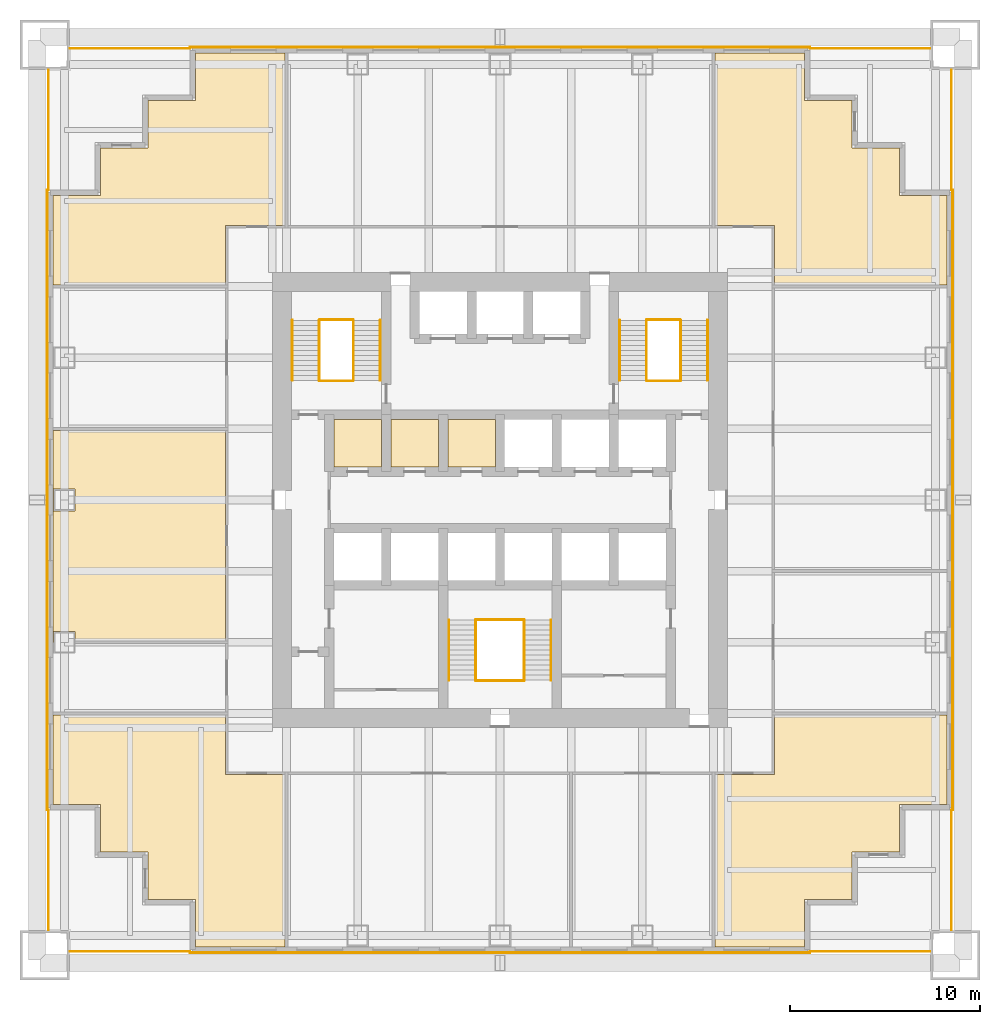
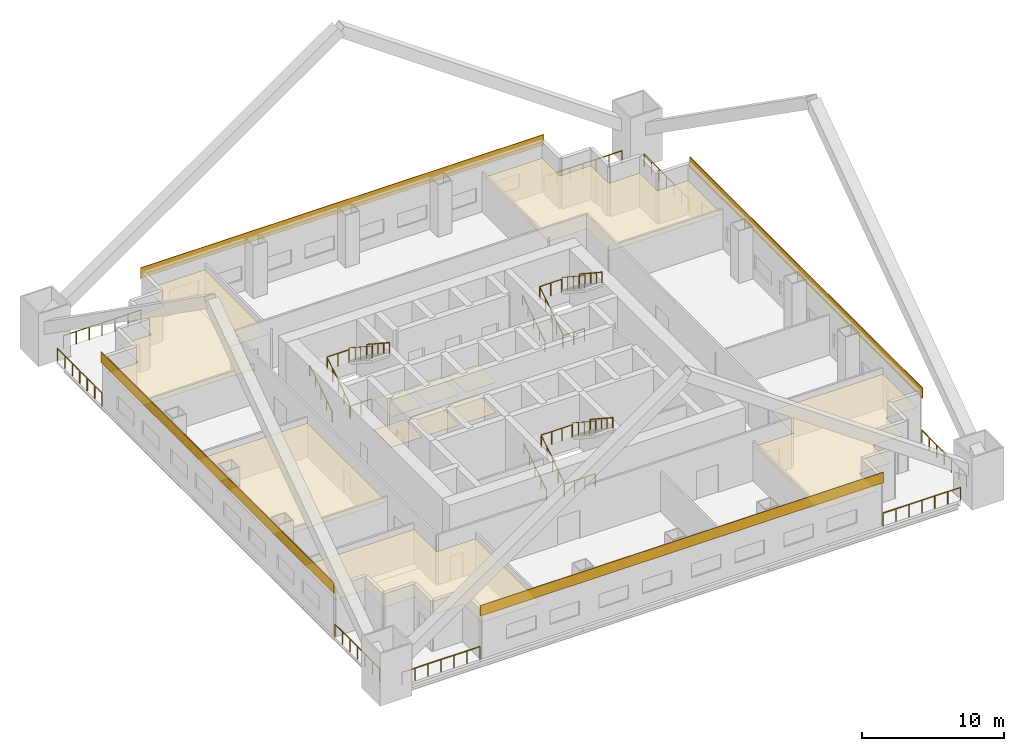
# One storey, part 6 of 6: 26 railings, 15 coverings.
"""IFC4 building model written with IfcOpenShell, lengths in metres."""

import ifcopenshell
import ifcopenshell.guid

model = None  # the IFC model being written
_history = None  # IfcOwnerHistory: only IFC2X3 demands one
_inside = {}  # id of a spatial element -> (the spatial element, [elements in it])
_under = {}  # id of a project, library or spatial element -> (it, [spatial elements below it])
_declared = {}  # id of a project -> (the project, [libraries it declares])
_typed = {}  # id of a type object -> (the type object, [elements of that type])
_made_of = {}  # id of a material, layer set ... -> (it, [elements and type objects made of it])


def new_model(schema):
    """Start an empty IFC model of exactly this schema.

    Asked for "IFC4X3", IfcOpenShell would pick the latest addendum, in which some entities
    have other attributes; the version numbers below select the first issue.
    IFC2X3 requires an IfcOwnerHistory on every rooted entity: one is made here for all.
    """
    global model, _history
    if schema == "IFC4X3":
        model = ifcopenshell.file(schema_version=(4, 3, 0, 0))
    else:
        model = ifcopenshell.file(schema=schema)
    _inside.clear()
    _under.clear()
    _declared.clear()
    _typed.clear()
    _made_of.clear()
    _history = None
    if model.schema == "IFC2X3":
        org = make("IfcOrganization", Name="unknown")
        user = make(
            "IfcPersonAndOrganization",
            ThePerson=make("IfcPerson", FamilyName="unknown"),
            TheOrganization=org,
        )
        app = make(
            "IfcApplication",
            ApplicationDeveloper=org,
            Version="unknown",
            ApplicationFullName="unknown",
            ApplicationIdentifier="unknown",
        )
        _history = make(
            "IfcOwnerHistory",
            OwningUser=user,
            OwningApplication=app,
            ChangeAction="ADDED",
            CreationDate=0,
        )
    return model


def make(cls, **values):
    """One entity of the class cls with the attributes given. An attribute that is None is left unset."""
    return model.create_entity(
        cls, **{name: value for name, value in values.items() if value is not None}
    )


def rooted(cls, **values):
    """An entity with a GlobalId (a new one), such as an element, a storey or a relation."""
    return make(cls, GlobalId=ifcopenshell.guid.new(), OwnerHistory=_history, **values)


def si_unit(unit_type, name, prefix=None):
    """IfcSIUnit, for example si_unit("LENGTHUNIT", "METRE", prefix="MILLI")."""
    return make("IfcSIUnit", UnitType=unit_type, Prefix=prefix, Name=name)


def assignment(units):
    """IfcUnitAssignment: the units of a project."""
    return None if units is None else make("IfcUnitAssignment", Units=units)


def point(xyz):
    """IfcCartesianPoint."""
    return None if xyz is None else make("IfcCartesianPoint", Coordinates=xyz)


def direction(xyz):
    """IfcDirection."""
    return None if xyz is None else make("IfcDirection", DirectionRatios=xyz)


def frame(location, z_axis=None, x_axis=None):
    """IfcAxis2Placement3D, a coordinate frame: its origin and axes. An axis left out is left unset."""
    return make(
        "IfcAxis2Placement3D",
        Location=point(location),
        Axis=direction(z_axis),
        RefDirection=direction(x_axis),
    )


def frame_2d(location, x_axis=None):
    """IfcAxis2Placement2D, a coordinate frame in the plane: its origin and x axis."""
    return make(
        "IfcAxis2Placement2D", Location=point(location), RefDirection=direction(x_axis)
    )


def origin():
    """The frame at (0, 0, 0) with its axes left unset."""
    return frame((0.0, 0.0, 0.0))


def origin_2d():
    """The frame at (0, 0) in the plane with its x axis left unset."""
    return frame_2d((0.0, 0.0))


def place(relative_to, where):
    """IfcLocalPlacement: puts the frame where relative to a parent placement (None: the world)."""
    return make(
        "IfcLocalPlacement", PlacementRelTo=relative_to, RelativePlacement=where
    )


def context(
    kind, dimensions, precision=None, world=None, true_north=None, identifier=None
):
    """IfcGeometricRepresentationContext, for example the 3D "Model" context."""
    return make(
        "IfcGeometricRepresentationContext",
        ContextIdentifier=identifier,
        ContextType=kind,
        CoordinateSpaceDimension=dimensions,
        Precision=precision,
        WorldCoordinateSystem=world,
        TrueNorth=true_north,
    )


def subcontext(parent, identifier, kind, view, scale=None):
    """IfcGeometricRepresentationSubContext, for example "Body" below "Model"."""
    return make(
        "IfcGeometricRepresentationSubContext",
        ContextIdentifier=identifier,
        ContextType=kind,
        ParentContext=parent,
        TargetScale=scale,
        TargetView=view,
    )


def project(units=None, contexts=None):
    """IfcProject with its units and contexts."""
    return rooted(
        "IfcProject",
        Name="project",
        RepresentationContexts=contexts,
        UnitsInContext=assignment(units),
    )


def spatial(cls, under=None, at=None, **own):
    """A site, building, storey or space (cls), placed at a placement, below another one or the project."""
    s = rooted(cls, ObjectPlacement=at, **own)
    if under is not None:
        _under.setdefault(under.id(), (under, []))[1].append(s)
    return s


def polyline(points):
    """IfcPolyline through the points."""
    return make("IfcPolyline", Points=[point(p) for p in points])


def profile(cls, at=None, kind="AREA", **sizes):
    """A parametric profile (cls). Its sizes go by their IFC names, for example OverallWidth=200.0."""
    return make(cls, ProfileType=kind, Position=at, **sizes)


def rectangle(**sizes):
    """IfcRectangleProfileDef."""
    return profile("IfcRectangleProfileDef", **sizes)


def circle(**sizes):
    """IfcCircleProfileDef."""
    return profile("IfcCircleProfileDef", **sizes)


def outline(outer, holes=None, kind="AREA"):
    """IfcArbitraryClosedProfileDef: a profile drawn as a closed curve; with holes, ...WithVoids."""
    if holes is None:
        return make("IfcArbitraryClosedProfileDef", ProfileType=kind, OuterCurve=outer)
    return make(
        "IfcArbitraryProfileDefWithVoids",
        ProfileType=kind,
        OuterCurve=outer,
        InnerCurves=holes,
    )


def extrude(swept, where, along, depth):
    """IfcExtrudedAreaSolid: the profile swept, set in the frame where, extruded along a direction by depth."""
    return make(
        "IfcExtrudedAreaSolid",
        SweptArea=swept,
        Position=where,
        ExtrudedDirection=direction(along),
        Depth=depth,
    )


def shape(context_of_items, identifier, shape_type, items):
    """IfcShapeRepresentation: the items that make up one representation, for example the "Body"."""
    return make(
        "IfcShapeRepresentation",
        ContextOfItems=context_of_items,
        RepresentationIdentifier=identifier,
        RepresentationType=shape_type,
        Items=items,
    )


def material(Name=None, Category=None):
    """IfcMaterial."""
    return make("IfcMaterial", Name=Name, Category=Category)


def layer(
    of_material, thickness, ventilated=None, Name=None, Category=None, Priority=None
):
    """IfcMaterialLayer: one layer of a wall or slab, of a material (None: an air gap)."""
    return make(
        "IfcMaterialLayer",
        Material=of_material,
        LayerThickness=thickness,
        IsVentilated=ventilated,
        Name=Name,
        Category=Category,
        Priority=Priority,
    )


def layer_set(layers, Name=None):
    """IfcMaterialLayerSet."""
    return make("IfcMaterialLayerSet", MaterialLayers=layers, LayerSetName=Name)


def made_of(thing, what):
    """Note that an element or type object is made of a material, layer set ...; save() writes the relation."""
    if what is not None:
        _made_of.setdefault(what.id(), (what, []))[1].append(thing)
    return thing


def type_object(cls, material=None, **own):
    """A type object (cls), such as IfcWallType, which elements share."""
    return made_of(rooted(cls, **own), material)


def element(
    cls,
    number,
    at=None,
    inside=None,
    cuts=None,
    type_object=None,
    material=None,
    context=None,
    identifier="Body",
    shape_type=None,
    held_by="IfcProductDefinitionShape",
    body=None,
    shapes=None,
    **own,
):
    """One element of the class cls, such as IfcWall. Its Tag is "e" and its number.

    at: its placement. inside: the storey or other place that contains it. cuts: it is an
    opening in that element (IfcRelVoidsElement). A single representation is given by context,
    identifier, shape_type and body (its items); several are given by shapes. held_by: the class
    of the entity that holds the representations. save() writes the other relations.
    """
    e = rooted(cls, Tag="e%d" % number, ObjectPlacement=at, **own)
    if body is not None:
        shapes = [shape(context, identifier, shape_type, body)]
    if shapes is not None:
        e.Representation = make(held_by, Representations=shapes)
    if inside is not None:
        _inside.setdefault(inside.id(), (inside, []))[1].append(e)
    if cuts is not None:
        rooted(
            "IfcRelVoidsElement", RelatingBuildingElement=cuts, RelatedOpeningElement=e
        )
    if type_object is not None:
        _typed.setdefault(type_object.id(), (type_object, []))[1].append(e)
    return made_of(e, material)


def aggregate(whole, parts):
    """IfcRelAggregates: a whole, such as a stair, and the parts it consists of."""
    return rooted("IfcRelAggregates", RelatingObject=whole, RelatedObjects=parts)


def save(model, path):
    """Write the relations noted so far, then the file.

    IfcRelAggregates (storeys below a building ...), IfcRelContainedInSpatialStructure (elements
    in a storey), IfcRelDefinesByType, IfcRelAssociatesMaterial and IfcRelDeclares: one each for
    every whole, place, type object, material and project.
    """
    for whole, parts in _under.values():
        aggregate(whole, parts)
    for where, things in _inside.values():
        rooted(
            "IfcRelContainedInSpatialStructure",
            RelatedElements=things,
            RelatingStructure=where,
        )
    for kind, things in _typed.values():
        rooted("IfcRelDefinesByType", RelatedObjects=things, RelatingType=kind)
    for what, things in _made_of.values():
        rooted("IfcRelAssociatesMaterial", RelatedObjects=things, RelatingMaterial=what)
    for by, libraries in _declared.values():
        rooted("IfcRelDeclares", RelatingContext=by, RelatedDefinitions=libraries)
    model.write(path)


model = new_model("IFC4")

# Units and contexts
model_context = context("Model", 3, precision=1e-05, world=origin(), true_north=direction((0.0, 1.0)))
body_context = subcontext(model_context, "Body", "Model", "MODEL_VIEW")
ifc_project = project(units=[si_unit("LENGTHUNIT", "METRE"), si_unit("AREAUNIT", "SQUARE_METRE"), si_unit("VOLUMEUNIT", "CUBIC_METRE"), si_unit("PLANEANGLEUNIT", "RADIAN"), si_unit("MASSUNIT", "GRAM", prefix="KILO")], contexts=[model_context])

# Site, building, storey
site_placement = place(None, origin())
site = spatial("IfcSite", under=ifc_project, at=site_placement, CompositionType="ELEMENT")
building_placement = place(site_placement, origin())
building = spatial("IfcBuilding", under=site, at=building_placement, Name="Tarangal Relay Tower", CompositionType="ELEMENT")
storey_placement = place(building_placement, frame((0.0, 0.0, 135.89990234375)))
storey = spatial("IfcBuildingStorey", under=building, at=storey_placement, Name="L27", CompositionType="ELEMENT", Elevation=135.89990234375)

# Coverings
ifc_material_1 = material(Name="Anti-static vinyl flooring", Category="plastic")
ifc_layer_1 = layer(ifc_material_1, 0.010009765625)
ifc_layer_set_1 = layer_set([ifc_layer_1], Name="Anti-static vinyl floor")
covering_type_1 = type_object("IfcCoveringType", Name="Anti-static vinyl floor", PredefinedType="FLOORING", material=ifc_layer_set_1)
covering_1_placement = place(storey_placement, origin())
element("IfcCovering", 1, at=covering_1_placement, inside=storey, type_object=covering_type_1, Name="Floor finish FL1 L27-D1", PredefinedType="FLOORING", context=body_context, shape_type="SweptSolid", body=[
    extrude(outline(polyline([(-8.75, 1.75), (-6.25, 1.75), (-6.25, 4.25), (-8.75, 4.25), (-8.75, 1.75)])), origin(), (0.0, 0.0, 1.0), 0.010009765625),
])
covering_2_placement = place(storey_placement, origin())
element("IfcCovering", 2, at=covering_2_placement, inside=storey, type_object=covering_type_1, Name="Floor finish FL1 L27-D2", PredefinedType="FLOORING", context=body_context, shape_type="SweptSolid", body=[
    extrude(outline(polyline([(-5.75, 1.75), (-3.25, 1.75), (-3.25, 4.25), (-5.75, 4.25), (-5.75, 1.75)])), origin(), (0.0, 0.0, 1.0), 0.010009765625),
])
covering_3_placement = place(storey_placement, origin())
element("IfcCovering", 3, at=covering_3_placement, inside=storey, type_object=covering_type_1, Name="Floor finish FL1 L27-D3", PredefinedType="FLOORING", context=body_context, shape_type="SweptSolid", body=[
    extrude(outline(polyline([(-2.75, 1.75), (-0.25, 1.75), (-0.25, 4.25), (-2.75, 4.25), (-2.75, 1.75)])), origin(), (0.0, 0.0, 1.0), 0.010009765625),
])
ifc_material_2 = material(Name="Black anodised aluminium cladding", Category="aluminium")
ifc_layer_2 = layer(ifc_material_2, 0.050048828125)
ifc_layer_set_2 = layer_set([ifc_layer_2], Name="Black metal spandrel band")
covering_type_2 = type_object("IfcCoveringType", Name="Black metal spandrel band", PredefinedType="CLADDING", material=ifc_layer_set_2)
for number, where, z_axis, x_axis, name in (
    (4, (0.0, 23.875, 3.750244140625), (0.0, 0.0, 1.0), (1.0, 0.0, 0.0), "Spandrel band SB1 N L27"),
    (5, (23.875, 0.0, 3.750244140625), (0.0, 0.0, 1.0), (0.0, -1.0, 0.0), "Spandrel band SB1 E L27"),
    (6, (0.0, -23.875, 3.750244140625), (0.0, 0.0, 1.0), (-1.0, 0.0, 0.0), "Spandrel band SB1 S L27"),
    (7, (-23.875, 0.0, 3.750244140625), (0.0, 0.0, 1.0), (0.0, 1.0, 0.0), "Spandrel band SB1 W L27"),
):
    element("IfcCovering", number, at=place(storey_placement, frame(where, z_axis=z_axis, x_axis=x_axis)), inside=storey, type_object=covering_type_2, Name=name, PredefinedType="CLADDING", context=body_context, shape_type="SweptSolid", body=[
        extrude(rectangle(XDim=32.699951171875, YDim=0.050048828125, at=origin_2d()), origin(), (0.0, 0.0, 1.0), 0.89990234375),
    ])

# Railings
ifc_material_3 = material(Name="Steel guard, black finish", Category="steel")
railing_type_1 = type_object("IfcRailingType", Name="Stair guard 1100", PredefinedType="GUARDRAIL", material=ifc_material_3)
railing_1_placement = place(storey_placement, frame((-9.530029296875, 6.300048828125, 0.173095703125)))
element("IfcRailing", 8, at=railing_1_placement, inside=storey, type_object=railing_type_1, Name="Stair ST-A guard GR1 L27 flight 1", PredefinedType="GUARDRAIL", context=body_context, shape_type="SweptSolid", body=[
    extrude(circle(Radius=0.02392578125, at=origin_2d()), frame((0.0, 0.0, 1.076171875), z_axis=(0.0, 0.83629911093, 0.548273469226), x_axis=(-1.0, 0.0, 0.0)), (0.0, 0.0, 1.0), 3.7880859375),
    extrude(circle(Radius=0.02099609375, at=origin_2d()), origin(), (0.0, 0.0, 1.0), 1.052001953125),
    extrude(circle(Radius=0.02099609375, at=origin_2d()), frame((0.0, 0.7919921875, 0.519287109375)), (0.0, 0.0, 1.0), 1.052001953125),
    extrude(circle(Radius=0.02099609375, at=origin_2d()), frame((0.0, 1.583984375, 1.03857421875)), (0.0, 0.0, 1.0), 1.052001953125),
    extrude(circle(Radius=0.02099609375, at=origin_2d()), frame((0.0, 2.3759765625, 1.5576171875)), (0.0, 0.0, 1.0), 1.052001953125),
    extrude(circle(Radius=0.02099609375, at=origin_2d()), frame((0.0, 3.16796875, 2.076904296875)), (0.0, 0.0, 1.0), 1.052001953125),
])
railing_2_placement = place(storey_placement, frame((-7.719970703125, 9.468017578125, 2.423095703125)))
element("IfcRailing", 9, at=railing_2_placement, inside=storey, type_object=railing_type_1, Name="Stair ST-A guard GR1 L27 flight 2", PredefinedType="GUARDRAIL", context=body_context, shape_type="SweptSolid", body=[
    extrude(circle(Radius=0.02392578125, at=origin_2d()), frame((0.0, 0.0, 1.076171875), z_axis=(0.0, -0.83629911093, 0.548273469226), x_axis=(1.0, 0.0, 0.0)), (0.0, 0.0, 1.0), 3.7880859375),
    extrude(circle(Radius=0.02099609375, at=origin_2d()), origin(), (0.0, 0.0, 1.0), 1.052001953125),
    extrude(circle(Radius=0.02099609375, at=origin_2d()), frame((0.0, -0.7919921875, 0.519287109375)), (0.0, 0.0, 1.0), 1.052001953125),
    extrude(circle(Radius=0.02099609375, at=origin_2d()), frame((0.0, -1.583984375, 1.03857421875)), (0.0, 0.0, 1.0), 1.052001953125),
    extrude(circle(Radius=0.02099609375, at=origin_2d()), frame((0.0, -2.3759765625, 1.5576171875)), (0.0, 0.0, 1.0), 1.052001953125),
    extrude(circle(Radius=0.02099609375, at=origin_2d()), frame((0.0, -3.16796875, 2.076904296875)), (0.0, 0.0, 1.0), 1.052001953125),
])
for number, where, name in (
    (10, (-9.5, 6.27001953125, 0.0), "Stair ST-A landing guard GR1 L27"),
    (11, (-9.5, 9.498046875, 2.25), "Stair ST-A landing guard GR1 L27"),
):
    element("IfcRailing", number, at=place(storey_placement, frame(where)), inside=storey, type_object=railing_type_1, Name=name, PredefinedType="GUARDRAIL", context=body_context, shape_type="SweptSolid", body=[
        extrude(circle(Radius=0.02392578125, at=origin_2d()), frame((0.0, 0.0, 1.076171875), z_axis=(1.0, 0.0, 0.0), x_axis=(0.0, 1.0, 0.0)), (0.0, 0.0, 1.0), 1.75),
        extrude(circle(Radius=0.02099609375, at=origin_2d()), origin(), (0.0, 0.0, 1.0), 1.052001953125),
        extrude(circle(Radius=0.02099609375, at=origin_2d()), frame((0.875, 0.0, 0.0)), (0.0, 0.0, 1.0), 1.052001953125),
        extrude(circle(Radius=0.02099609375, at=origin_2d()), frame((1.75, 0.0, 0.0)), (0.0, 0.0, 1.0), 1.052001953125),
    ])
railing_3_placement = place(storey_placement, frame((7.719970703125, 6.300048828125, 0.173095703125)))
element("IfcRailing", 12, at=railing_3_placement, inside=storey, type_object=railing_type_1, Name="Stair ST-B guard GR1 L27 flight 1", PredefinedType="GUARDRAIL", context=body_context, shape_type="SweptSolid", body=[
    extrude(circle(Radius=0.02392578125, at=origin_2d()), frame((0.0, 0.0, 1.076171875), z_axis=(0.0, 0.83629911093, 0.548273469226), x_axis=(-1.0, 0.0, 0.0)), (0.0, 0.0, 1.0), 3.7880859375),
    extrude(circle(Radius=0.02099609375, at=origin_2d()), origin(), (0.0, 0.0, 1.0), 1.052001953125),
    extrude(circle(Radius=0.02099609375, at=origin_2d()), frame((0.0, 0.7919921875, 0.519287109375)), (0.0, 0.0, 1.0), 1.052001953125),
    extrude(circle(Radius=0.02099609375, at=origin_2d()), frame((0.0, 1.583984375, 1.03857421875)), (0.0, 0.0, 1.0), 1.052001953125),
    extrude(circle(Radius=0.02099609375, at=origin_2d()), frame((0.0, 2.3759765625, 1.5576171875)), (0.0, 0.0, 1.0), 1.052001953125),
    extrude(circle(Radius=0.02099609375, at=origin_2d()), frame((0.0, 3.16796875, 2.076904296875)), (0.0, 0.0, 1.0), 1.052001953125),
])
railing_4_placement = place(storey_placement, frame((9.530029296875, 9.468017578125, 2.423095703125)))
element("IfcRailing", 13, at=railing_4_placement, inside=storey, type_object=railing_type_1, Name="Stair ST-B guard GR1 L27 flight 2", PredefinedType="GUARDRAIL", context=body_context, shape_type="SweptSolid", body=[
    extrude(circle(Radius=0.02392578125, at=origin_2d()), frame((0.0, 0.0, 1.076171875), z_axis=(0.0, -0.83629911093, 0.548273469226), x_axis=(1.0, 0.0, 0.0)), (0.0, 0.0, 1.0), 3.7880859375),
    extrude(circle(Radius=0.02099609375, at=origin_2d()), origin(), (0.0, 0.0, 1.0), 1.052001953125),
    extrude(circle(Radius=0.02099609375, at=origin_2d()), frame((0.0, -0.7919921875, 0.519287109375)), (0.0, 0.0, 1.0), 1.052001953125),
    extrude(circle(Radius=0.02099609375, at=origin_2d()), frame((0.0, -1.583984375, 1.03857421875)), (0.0, 0.0, 1.0), 1.052001953125),
    extrude(circle(Radius=0.02099609375, at=origin_2d()), frame((0.0, -2.3759765625, 1.5576171875)), (0.0, 0.0, 1.0), 1.052001953125),
    extrude(circle(Radius=0.02099609375, at=origin_2d()), frame((0.0, -3.16796875, 2.076904296875)), (0.0, 0.0, 1.0), 1.052001953125),
])
for number, where, name in (
    (14, (7.75, 6.27001953125, 0.0), "Stair ST-B landing guard GR1 L27"),
    (15, (7.75, 9.498046875, 2.25), "Stair ST-B landing guard GR1 L27"),
):
    element("IfcRailing", number, at=place(storey_placement, frame(where)), inside=storey, type_object=railing_type_1, Name=name, PredefinedType="GUARDRAIL", context=body_context, shape_type="SweptSolid", body=[
        extrude(circle(Radius=0.02392578125, at=origin_2d()), frame((0.0, 0.0, 1.076171875), z_axis=(1.0, 0.0, 0.0), x_axis=(0.0, 1.0, 0.0)), (0.0, 0.0, 1.0), 1.75),
        extrude(circle(Radius=0.02099609375, at=origin_2d()), origin(), (0.0, 0.0, 1.0), 1.052001953125),
        extrude(circle(Radius=0.02099609375, at=origin_2d()), frame((0.875, 0.0, 0.0)), (0.0, 0.0, 1.0), 1.052001953125),
        extrude(circle(Radius=0.02099609375, at=origin_2d()), frame((1.75, 0.0, 0.0)), (0.0, 0.0, 1.0), 1.052001953125),
    ])
railing_5_placement = place(storey_placement, frame((-1.280029296875, -9.5, 0.173095703125)))
element("IfcRailing", 16, at=railing_5_placement, inside=storey, type_object=railing_type_1, Name="Stair ST-C guard GR1 L27 flight 1", PredefinedType="GUARDRAIL", context=body_context, shape_type="SweptSolid", body=[
    extrude(circle(Radius=0.02392578125, at=origin_2d()), frame((0.0, 0.0, 1.076171875), z_axis=(0.0, 0.83629911093, 0.548273469226), x_axis=(-1.0, 0.0, 0.0)), (0.0, 0.0, 1.0), 3.7880859375),
    extrude(circle(Radius=0.02099609375, at=origin_2d()), origin(), (0.0, 0.0, 1.0), 1.052001953125),
    extrude(circle(Radius=0.02099609375, at=origin_2d()), frame((0.0, 0.7919921875, 0.519287109375)), (0.0, 0.0, 1.0), 1.052001953125),
    extrude(circle(Radius=0.02099609375, at=origin_2d()), frame((0.0, 1.583984375, 1.03857421875)), (0.0, 0.0, 1.0), 1.052001953125),
    extrude(circle(Radius=0.02099609375, at=origin_2d()), frame((0.0, 2.3759765625, 1.5576171875)), (0.0, 0.0, 1.0), 1.052001953125),
    extrude(circle(Radius=0.02099609375, at=origin_2d()), frame((0.0, 3.16796875, 2.076904296875)), (0.0, 0.0, 1.0), 1.052001953125),
])
railing_6_placement = place(storey_placement, frame((1.280029296875, -6.33203125, 2.423095703125)))
element("IfcRailing", 17, at=railing_6_placement, inside=storey, type_object=railing_type_1, Name="Stair ST-C guard GR1 L27 flight 2", PredefinedType="GUARDRAIL", context=body_context, shape_type="SweptSolid", body=[
    extrude(circle(Radius=0.02392578125, at=origin_2d()), frame((0.0, 0.0, 1.076171875), z_axis=(0.0, -0.83629911093, 0.548273469226), x_axis=(1.0, 0.0, 0.0)), (0.0, 0.0, 1.0), 3.7880859375),
    extrude(circle(Radius=0.02099609375, at=origin_2d()), origin(), (0.0, 0.0, 1.0), 1.052001953125),
    extrude(circle(Radius=0.02099609375, at=origin_2d()), frame((0.0, -0.7919921875, 0.519287109375)), (0.0, 0.0, 1.0), 1.052001953125),
    extrude(circle(Radius=0.02099609375, at=origin_2d()), frame((0.0, -1.583984375, 1.03857421875)), (0.0, 0.0, 1.0), 1.052001953125),
    extrude(circle(Radius=0.02099609375, at=origin_2d()), frame((0.0, -2.3759765625, 1.5576171875)), (0.0, 0.0, 1.0), 1.052001953125),
    extrude(circle(Radius=0.02099609375, at=origin_2d()), frame((0.0, -3.16796875, 2.076904296875)), (0.0, 0.0, 1.0), 1.052001953125),
])
for number, where, name in (
    (18, (-1.25, -9.530029296875, 0.0), "Stair ST-C landing guard GR1 L27"),
    (19, (-1.25, -6.302001953125, 2.25), "Stair ST-C landing guard GR1 L27"),
):
    element("IfcRailing", number, at=place(storey_placement, frame(where)), inside=storey, type_object=railing_type_1, Name=name, PredefinedType="GUARDRAIL", context=body_context, shape_type="SweptSolid", body=[
        extrude(circle(Radius=0.02392578125, at=origin_2d()), frame((0.0, 0.0, 1.076171875), z_axis=(1.0, 0.0, 0.0), x_axis=(0.0, 1.0, 0.0)), (0.0, 0.0, 1.0), 2.5),
        extrude(circle(Radius=0.02099609375, at=origin_2d()), origin(), (0.0, 0.0, 1.0), 1.052001953125),
        extrude(circle(Radius=0.02099609375, at=origin_2d()), frame((0.833251953125, 0.0, 0.0)), (0.0, 0.0, 1.0), 1.052001953125),
        extrude(circle(Radius=0.02099609375, at=origin_2d()), frame((1.666748046875, 0.0, 0.0)), (0.0, 0.0, 1.0), 1.052001953125),
        extrude(circle(Radius=0.02099609375, at=origin_2d()), frame((2.5, 0.0, 0.0)), (0.0, 0.0, 1.0), 1.052001953125),
    ])
ifc_material_4 = material(Name="Steel handrail, black finish", Category="steel")
railing_type_2 = type_object("IfcRailingType", Name="Stair handrail 900", PredefinedType="HANDRAIL", material=ifc_material_4)
railing_7_placement = place(storey_placement, frame((-10.93994140625, 6.300048828125, 0.173095703125)))
element("IfcRailing", 20, at=railing_7_placement, inside=storey, type_object=railing_type_2, Name="Stair ST-A handrail HR1 L27 flight 1", PredefinedType="HANDRAIL", context=body_context, shape_type="SweptSolid", body=[
    extrude(circle(Radius=0.02392578125, at=origin_2d()), frame((0.0, 0.0, 0.8759765625), z_axis=(0.0, 0.83629911093, 0.548273469226), x_axis=(-1.0, 0.0, 0.0)), (0.0, 0.0, 1.0), 3.7880859375),
    extrude(circle(Radius=0.02099609375, at=origin_2d()), origin(), (0.0, 0.0, 1.0), 0.851806640625),
    extrude(circle(Radius=0.02099609375, at=origin_2d()), frame((0.0, 0.7919921875, 0.519287109375)), (0.0, 0.0, 1.0), 0.851806640625),
    extrude(circle(Radius=0.02099609375, at=origin_2d()), frame((0.0, 1.583984375, 1.03857421875)), (0.0, 0.0, 1.0), 0.851806640625),
    extrude(circle(Radius=0.02099609375, at=origin_2d()), frame((0.0, 2.3759765625, 1.5576171875)), (0.0, 0.0, 1.0), 0.851806640625),
    extrude(circle(Radius=0.02099609375, at=origin_2d()), frame((0.0, 3.16796875, 2.076904296875)), (0.0, 0.0, 1.0), 0.851806640625),
])
railing_8_placement = place(storey_placement, frame((-6.31005859375, 9.468017578125, 2.423095703125)))
element("IfcRailing", 21, at=railing_8_placement, inside=storey, type_object=railing_type_2, Name="Stair ST-A handrail HR1 L27 flight 2", PredefinedType="HANDRAIL", context=body_context, shape_type="SweptSolid", body=[
    extrude(circle(Radius=0.02392578125, at=origin_2d()), frame((0.0, 0.0, 0.8759765625), z_axis=(0.0, -0.83629911093, 0.548273469226), x_axis=(1.0, 0.0, 0.0)), (0.0, 0.0, 1.0), 3.7880859375),
    extrude(circle(Radius=0.02099609375, at=origin_2d()), origin(), (0.0, 0.0, 1.0), 0.851806640625),
    extrude(circle(Radius=0.02099609375, at=origin_2d()), frame((0.0, -0.7919921875, 0.519287109375)), (0.0, 0.0, 1.0), 0.851806640625),
    extrude(circle(Radius=0.02099609375, at=origin_2d()), frame((0.0, -1.583984375, 1.03857421875)), (0.0, 0.0, 1.0), 0.851806640625),
    extrude(circle(Radius=0.02099609375, at=origin_2d()), frame((0.0, -2.3759765625, 1.5576171875)), (0.0, 0.0, 1.0), 0.851806640625),
    extrude(circle(Radius=0.02099609375, at=origin_2d()), frame((0.0, -3.16796875, 2.076904296875)), (0.0, 0.0, 1.0), 0.851806640625),
])
railing_9_placement = place(storey_placement, frame((6.31005859375, 6.300048828125, 0.173095703125)))
element("IfcRailing", 22, at=railing_9_placement, inside=storey, type_object=railing_type_2, Name="Stair ST-B handrail HR1 L27 flight 1", PredefinedType="HANDRAIL", context=body_context, shape_type="SweptSolid", body=[
    extrude(circle(Radius=0.02392578125, at=origin_2d()), frame((0.0, 0.0, 0.8759765625), z_axis=(0.0, 0.83629911093, 0.548273469226), x_axis=(-1.0, 0.0, 0.0)), (0.0, 0.0, 1.0), 3.7880859375),
    extrude(circle(Radius=0.02099609375, at=origin_2d()), origin(), (0.0, 0.0, 1.0), 0.851806640625),
    extrude(circle(Radius=0.02099609375, at=origin_2d()), frame((0.0, 0.7919921875, 0.519287109375)), (0.0, 0.0, 1.0), 0.851806640625),
    extrude(circle(Radius=0.02099609375, at=origin_2d()), frame((0.0, 1.583984375, 1.03857421875)), (0.0, 0.0, 1.0), 0.851806640625),
    extrude(circle(Radius=0.02099609375, at=origin_2d()), frame((0.0, 2.3759765625, 1.5576171875)), (0.0, 0.0, 1.0), 0.851806640625),
    extrude(circle(Radius=0.02099609375, at=origin_2d()), frame((0.0, 3.16796875, 2.076904296875)), (0.0, 0.0, 1.0), 0.851806640625),
])
railing_10_placement = place(storey_placement, frame((10.93994140625, 9.468017578125, 2.423095703125)))
element("IfcRailing", 23, at=railing_10_placement, inside=storey, type_object=railing_type_2, Name="Stair ST-B handrail HR1 L27 flight 2", PredefinedType="HANDRAIL", context=body_context, shape_type="SweptSolid", body=[
    extrude(circle(Radius=0.02392578125, at=origin_2d()), frame((0.0, 0.0, 0.8759765625), z_axis=(0.0, -0.83629911093, 0.548273469226), x_axis=(1.0, 0.0, 0.0)), (0.0, 0.0, 1.0), 3.7880859375),
    extrude(circle(Radius=0.02099609375, at=origin_2d()), origin(), (0.0, 0.0, 1.0), 0.851806640625),
    extrude(circle(Radius=0.02099609375, at=origin_2d()), frame((0.0, -0.7919921875, 0.519287109375)), (0.0, 0.0, 1.0), 0.851806640625),
    extrude(circle(Radius=0.02099609375, at=origin_2d()), frame((0.0, -1.583984375, 1.03857421875)), (0.0, 0.0, 1.0), 0.851806640625),
    extrude(circle(Radius=0.02099609375, at=origin_2d()), frame((0.0, -2.3759765625, 1.5576171875)), (0.0, 0.0, 1.0), 0.851806640625),
    extrude(circle(Radius=0.02099609375, at=origin_2d()), frame((0.0, -3.16796875, 2.076904296875)), (0.0, 0.0, 1.0), 0.851806640625),
])
railing_11_placement = place(storey_placement, frame((-2.68994140625, -9.5, 0.173095703125)))
element("IfcRailing", 24, at=railing_11_placement, inside=storey, type_object=railing_type_2, Name="Stair ST-C handrail HR1 L27 flight 1", PredefinedType="HANDRAIL", context=body_context, shape_type="SweptSolid", body=[
    extrude(circle(Radius=0.02392578125, at=origin_2d()), frame((0.0, 0.0, 0.8759765625), z_axis=(0.0, 0.83629911093, 0.548273469226), x_axis=(-1.0, 0.0, 0.0)), (0.0, 0.0, 1.0), 3.7880859375),
    extrude(circle(Radius=0.02099609375, at=origin_2d()), origin(), (0.0, 0.0, 1.0), 0.851806640625),
    extrude(circle(Radius=0.02099609375, at=origin_2d()), frame((0.0, 0.7919921875, 0.519287109375)), (0.0, 0.0, 1.0), 0.851806640625),
    extrude(circle(Radius=0.02099609375, at=origin_2d()), frame((0.0, 1.583984375, 1.03857421875)), (0.0, 0.0, 1.0), 0.851806640625),
    extrude(circle(Radius=0.02099609375, at=origin_2d()), frame((0.0, 2.3759765625, 1.5576171875)), (0.0, 0.0, 1.0), 0.851806640625),
    extrude(circle(Radius=0.02099609375, at=origin_2d()), frame((0.0, 3.16796875, 2.076904296875)), (0.0, 0.0, 1.0), 0.851806640625),
])
railing_12_placement = place(storey_placement, frame((2.68994140625, -6.33203125, 2.423095703125)))
element("IfcRailing", 25, at=railing_12_placement, inside=storey, type_object=railing_type_2, Name="Stair ST-C handrail HR1 L27 flight 2", PredefinedType="HANDRAIL", context=body_context, shape_type="SweptSolid", body=[
    extrude(circle(Radius=0.02392578125, at=origin_2d()), frame((0.0, 0.0, 0.8759765625), z_axis=(0.0, -0.83629911093, 0.548273469226), x_axis=(1.0, 0.0, 0.0)), (0.0, 0.0, 1.0), 3.7880859375),
    extrude(circle(Radius=0.02099609375, at=origin_2d()), origin(), (0.0, 0.0, 1.0), 0.851806640625),
    extrude(circle(Radius=0.02099609375, at=origin_2d()), frame((0.0, -0.7919921875, 0.519287109375)), (0.0, 0.0, 1.0), 0.851806640625),
    extrude(circle(Radius=0.02099609375, at=origin_2d()), frame((0.0, -1.583984375, 1.03857421875)), (0.0, 0.0, 1.0), 0.851806640625),
    extrude(circle(Radius=0.02099609375, at=origin_2d()), frame((0.0, -2.3759765625, 1.5576171875)), (0.0, 0.0, 1.0), 0.851806640625),
    extrude(circle(Radius=0.02099609375, at=origin_2d()), frame((0.0, -3.16796875, 2.076904296875)), (0.0, 0.0, 1.0), 0.851806640625),
])

# Coverings
ifc_material_5 = material(Name="Mineral fibre ceiling tiles", Category="gypsum")
ifc_layer_3 = layer(ifc_material_5, 0.02001953125)
ifc_layer_set_3 = layer_set([ifc_layer_3], Name="Suspended ceiling")
covering_type_3 = type_object("IfcCoveringType", Name="Suspended ceiling", PredefinedType="CEILING", material=ifc_layer_set_3)
covering_4_placement = place(storey_placement, frame((0.0, 0.0, 2.60009765625)))
element("IfcCovering", 26, at=covering_4_placement, inside=storey, type_object=covering_type_3, Name="Suspended ceiling CL1 L27-D1", PredefinedType="CEILING", context=body_context, shape_type="SweptSolid", body=[
    extrude(outline(polyline([(-8.75, 1.75), (-6.25, 1.75), (-6.25, 4.25), (-8.75, 4.25), (-8.75, 1.75)])), origin(), (0.0, 0.0, 1.0), 0.02001953125),
])
covering_5_placement = place(storey_placement, frame((0.0, 0.0, 2.60009765625)))
element("IfcCovering", 27, at=covering_5_placement, inside=storey, type_object=covering_type_3, Name="Suspended ceiling CL1 L27-D2", PredefinedType="CEILING", context=body_context, shape_type="SweptSolid", body=[
    extrude(outline(polyline([(-5.75, 1.75), (-3.25, 1.75), (-3.25, 4.25), (-5.75, 4.25), (-5.75, 1.75)])), origin(), (0.0, 0.0, 1.0), 0.02001953125),
])
covering_6_placement = place(storey_placement, frame((0.0, 0.0, 2.60009765625)))
element("IfcCovering", 28, at=covering_6_placement, inside=storey, type_object=covering_type_3, Name="Suspended ceiling CL1 L27-D3", PredefinedType="CEILING", context=body_context, shape_type="SweptSolid", body=[
    extrude(outline(polyline([(-2.75, 1.75), (-0.25, 1.75), (-0.25, 4.25), (-2.75, 4.25), (-2.75, 1.75)])), origin(), (0.0, 0.0, 1.0), 0.02001953125),
])
covering_7_placement = place(storey_placement, frame((0.0, 0.0, 2.900146484375)))
element("IfcCovering", 29, at=covering_7_placement, inside=storey, type_object=covering_type_3, Name="Suspended ceiling CL1 L27-08", PredefinedType="CEILING", context=body_context, shape_type="SweptSolid", body=[
    extrude(outline(polyline([(-23.550048828125, 3.675048828125), (-23.550048828125, -7.5), (-23.5400390625, -7.5), (-23.5400390625, -6.925048828125), (-22.389892578125, -6.925048828125), (-22.389892578125, -7.425048828125), (-14.47509765625, -7.425048828125), (-14.47509765625, 3.675048828125), (-23.550048828125, 3.675048828125)]), holes=[polyline([(-22.389892578125, -0.574951171875), (-22.389892578125, 0.574951171875), (-23.5400390625, 0.574951171875), (-23.5400390625, -0.574951171875), (-22.389892578125, -0.574951171875)])]), origin(), (0.0, 0.0, 1.0), 0.02001953125),
])
covering_8_placement = place(storey_placement, frame((0.0, 0.0, 2.900146484375)))
element("IfcCovering", 30, at=covering_8_placement, inside=storey, type_object=covering_type_3, Name="Suspended ceiling CL1 L27-10", PredefinedType="CEILING", context=body_context, shape_type="SweptSolid", body=[
    extrude(outline(polyline([(16.050048828125, 23.550048828125), (11.324951171875, 23.550048828125), (11.324951171875, 14.47509765625), (14.47509765625, 14.47509765625), (14.47509765625, 11.324951171875), (23.550048828125, 11.324951171875), (23.550048828125, 16.050048828125), (21.050048828125, 16.050048828125), (21.050048828125, 18.550048828125), (18.550048828125, 18.550048828125), (18.550048828125, 21.050048828125), (16.050048828125, 21.050048828125), (16.050048828125, 23.550048828125)])), origin(), (0.0, 0.0, 1.0), 0.02001953125),
])
covering_9_placement = place(storey_placement, frame((0.0, 0.0, 2.900146484375)))
element("IfcCovering", 31, at=covering_9_placement, inside=storey, type_object=covering_type_3, Name="Suspended ceiling CL1 L27-11", PredefinedType="CEILING", context=body_context, shape_type="SweptSolid", body=[
    extrude(outline(polyline([(23.550048828125, -16.050048828125), (23.550048828125, -11.324951171875), (14.47509765625, -11.324951171875), (14.47509765625, -14.47509765625), (11.324951171875, -14.47509765625), (11.324951171875, -23.550048828125), (16.050048828125, -23.550048828125), (16.050048828125, -21.050048828125), (18.550048828125, -21.050048828125), (18.550048828125, -18.550048828125), (21.050048828125, -18.550048828125), (21.050048828125, -16.050048828125), (23.550048828125, -16.050048828125)])), origin(), (0.0, 0.0, 1.0), 0.02001953125),
])
covering_10_placement = place(storey_placement, frame((0.0, 0.0, 2.900146484375)))
element("IfcCovering", 32, at=covering_10_placement, inside=storey, type_object=covering_type_3, Name="Suspended ceiling CL1 L27-12", PredefinedType="CEILING", context=body_context, shape_type="SweptSolid", body=[
    extrude(outline(polyline([(-16.050048828125, -21.050048828125), (-16.050048828125, -23.550048828125), (-11.324951171875, -23.550048828125), (-11.324951171875, -14.47509765625), (-14.47509765625, -14.47509765625), (-14.47509765625, -11.324951171875), (-23.550048828125, -11.324951171875), (-23.550048828125, -16.050048828125), (-21.050048828125, -16.050048828125), (-21.050048828125, -18.550048828125), (-18.550048828125, -18.550048828125), (-18.550048828125, -21.050048828125), (-16.050048828125, -21.050048828125)])), origin(), (0.0, 0.0, 1.0), 0.02001953125),
])
covering_11_placement = place(storey_placement, frame((0.0, 0.0, 2.900146484375)))
element("IfcCovering", 33, at=covering_11_placement, inside=storey, type_object=covering_type_3, Name="Suspended ceiling CL1 L27-13", PredefinedType="CEILING", context=body_context, shape_type="SweptSolid", body=[
    extrude(outline(polyline([(-21.050048828125, 16.050048828125), (-23.550048828125, 16.050048828125), (-23.550048828125, 11.324951171875), (-14.47509765625, 11.324951171875), (-14.47509765625, 14.47509765625), (-11.324951171875, 14.47509765625), (-11.324951171875, 23.550048828125), (-16.050048828125, 23.550048828125), (-16.050048828125, 21.050048828125), (-18.550048828125, 21.050048828125), (-18.550048828125, 18.550048828125), (-21.050048828125, 18.550048828125), (-21.050048828125, 16.050048828125)])), origin(), (0.0, 0.0, 1.0), 0.02001953125),
])

# Railings
ifc_material_6 = material(Name="Black steel guard with glass infill", Category="steel")
railing_type_3 = type_object("IfcRailingType", Name="Terrace guard 1100", PredefinedType="GUARDRAIL", material=ifc_material_6)
railing_13_placement = place(storey_placement, frame((16.35009765625, 23.800048828125, 0.0)))
element("IfcRailing", 34, at=railing_13_placement, inside=storey, type_object=railing_type_3, Name="Terrace guard GR2 NE L27", PredefinedType="GUARDRAIL", context=body_context, shape_type="SweptSolid", body=[
    extrude(circle(Radius=0.02392578125, at=origin_2d()), frame((0.0, 0.0, 1.076171875), z_axis=(1.0, 0.0, 0.0), x_axis=(0.0, 1.0, 0.0)), (0.0, 0.0, 1.0), 6.2998046875),
    extrude(circle(Radius=0.02099609375, at=origin_2d()), origin(), (0.0, 0.0, 1.0), 1.052001953125),
    extrude(circle(Radius=0.02099609375, at=origin_2d()), frame((1.050048828125, 0.0, 0.0)), (0.0, 0.0, 1.0), 1.052001953125),
    extrude(circle(Radius=0.02099609375, at=origin_2d()), frame((2.099853515625, 0.0, 0.0)), (0.0, 0.0, 1.0), 1.052001953125),
    extrude(circle(Radius=0.02099609375, at=origin_2d()), frame((3.14990234375, 0.0, 0.0)), (0.0, 0.0, 1.0), 1.052001953125),
    extrude(circle(Radius=0.02099609375, at=origin_2d()), frame((4.199951171875, 0.0, 0.0)), (0.0, 0.0, 1.0), 1.052001953125),
    extrude(circle(Radius=0.02099609375, at=origin_2d()), frame((5.249755859375, 0.0, 0.0)), (0.0, 0.0, 1.0), 1.052001953125),
    extrude(circle(Radius=0.02099609375, at=origin_2d()), frame((6.2998046875, 0.0, 0.0)), (0.0, 0.0, 1.0), 1.052001953125),
])
for number, where, name in (
    (35, (23.800048828125, 22.64990234375, 0.0), "Terrace guard GR2 NE L27"),
    (36, (23.800048828125, -16.35009765625, 0.0), "Terrace guard GR2 SE L27"),
):
    element("IfcRailing", number, at=place(storey_placement, frame(where)), inside=storey, type_object=railing_type_3, Name=name, PredefinedType="GUARDRAIL", context=body_context, shape_type="SweptSolid", body=[
        extrude(circle(Radius=0.02392578125, at=origin_2d()), frame((0.0, 0.0, 1.076171875), z_axis=(0.0, -1.0, 0.0), x_axis=(1.0, 0.0, 0.0)), (0.0, 0.0, 1.0), 6.2998046875),
        extrude(circle(Radius=0.02099609375, at=origin_2d()), origin(), (0.0, 0.0, 1.0), 1.052001953125),
        extrude(circle(Radius=0.02099609375, at=origin_2d()), frame((0.0, -1.050048828125, 0.0)), (0.0, 0.0, 1.0), 1.052001953125),
        extrude(circle(Radius=0.02099609375, at=origin_2d()), frame((0.0, -2.099853515625, 0.0)), (0.0, 0.0, 1.0), 1.052001953125),
        extrude(circle(Radius=0.02099609375, at=origin_2d()), frame((0.0, -3.14990234375, 0.0)), (0.0, 0.0, 1.0), 1.052001953125),
        extrude(circle(Radius=0.02099609375, at=origin_2d()), frame((0.0, -4.199951171875, 0.0)), (0.0, 0.0, 1.0), 1.052001953125),
        extrude(circle(Radius=0.02099609375, at=origin_2d()), frame((0.0, -5.249755859375, 0.0)), (0.0, 0.0, 1.0), 1.052001953125),
        extrude(circle(Radius=0.02099609375, at=origin_2d()), frame((0.0, -6.2998046875, 0.0)), (0.0, 0.0, 1.0), 1.052001953125),
    ])
for number, where, name in (
    (37, (22.64990234375, -23.800048828125, 0.0), "Terrace guard GR2 SE L27"),
    (38, (-16.35009765625, -23.800048828125, 0.0), "Terrace guard GR2 SW L27"),
):
    element("IfcRailing", number, at=place(storey_placement, frame(where)), inside=storey, type_object=railing_type_3, Name=name, PredefinedType="GUARDRAIL", context=body_context, shape_type="SweptSolid", body=[
        extrude(circle(Radius=0.02392578125, at=origin_2d()), frame((0.0, 0.0, 1.076171875), z_axis=(-1.0, 0.0, 0.0), x_axis=(0.0, -1.0, 0.0)), (0.0, 0.0, 1.0), 6.2998046875),
        extrude(circle(Radius=0.02099609375, at=origin_2d()), origin(), (0.0, 0.0, 1.0), 1.052001953125),
        extrude(circle(Radius=0.02099609375, at=origin_2d()), frame((-1.050048828125, 0.0, 0.0)), (0.0, 0.0, 1.0), 1.052001953125),
        extrude(circle(Radius=0.02099609375, at=origin_2d()), frame((-2.099853515625, 0.0, 0.0)), (0.0, 0.0, 1.0), 1.052001953125),
        extrude(circle(Radius=0.02099609375, at=origin_2d()), frame((-3.14990234375, 0.0, 0.0)), (0.0, 0.0, 1.0), 1.052001953125),
        extrude(circle(Radius=0.02099609375, at=origin_2d()), frame((-4.199951171875, 0.0, 0.0)), (0.0, 0.0, 1.0), 1.052001953125),
        extrude(circle(Radius=0.02099609375, at=origin_2d()), frame((-5.249755859375, 0.0, 0.0)), (0.0, 0.0, 1.0), 1.052001953125),
        extrude(circle(Radius=0.02099609375, at=origin_2d()), frame((-6.2998046875, 0.0, 0.0)), (0.0, 0.0, 1.0), 1.052001953125),
    ])
for number, where, name in (
    (39, (-23.800048828125, -22.64990234375, 0.0), "Terrace guard GR2 SW L27"),
    (40, (-23.800048828125, 16.35009765625, 0.0), "Terrace guard GR2 NW L27"),
):
    element("IfcRailing", number, at=place(storey_placement, frame(where)), inside=storey, type_object=railing_type_3, Name=name, PredefinedType="GUARDRAIL", context=body_context, shape_type="SweptSolid", body=[
        extrude(circle(Radius=0.02392578125, at=origin_2d()), frame((0.0, 0.0, 1.076171875), z_axis=(0.0, 1.0, 0.0), x_axis=(-1.0, 0.0, 0.0)), (0.0, 0.0, 1.0), 6.2998046875),
        extrude(circle(Radius=0.02099609375, at=origin_2d()), origin(), (0.0, 0.0, 1.0), 1.052001953125),
        extrude(circle(Radius=0.02099609375, at=origin_2d()), frame((0.0, 1.050048828125, 0.0)), (0.0, 0.0, 1.0), 1.052001953125),
        extrude(circle(Radius=0.02099609375, at=origin_2d()), frame((0.0, 2.099853515625, 0.0)), (0.0, 0.0, 1.0), 1.052001953125),
        extrude(circle(Radius=0.02099609375, at=origin_2d()), frame((0.0, 3.14990234375, 0.0)), (0.0, 0.0, 1.0), 1.052001953125),
        extrude(circle(Radius=0.02099609375, at=origin_2d()), frame((0.0, 4.199951171875, 0.0)), (0.0, 0.0, 1.0), 1.052001953125),
        extrude(circle(Radius=0.02099609375, at=origin_2d()), frame((0.0, 5.249755859375, 0.0)), (0.0, 0.0, 1.0), 1.052001953125),
        extrude(circle(Radius=0.02099609375, at=origin_2d()), frame((0.0, 6.2998046875, 0.0)), (0.0, 0.0, 1.0), 1.052001953125),
    ])
railing_14_placement = place(storey_placement, frame((-22.64990234375, 23.800048828125, 0.0)))
element("IfcRailing", 41, at=railing_14_placement, inside=storey, type_object=railing_type_3, Name="Terrace guard GR2 NW L27", PredefinedType="GUARDRAIL", context=body_context, shape_type="SweptSolid", body=[
    extrude(circle(Radius=0.02392578125, at=origin_2d()), frame((0.0, 0.0, 1.076171875), z_axis=(1.0, 0.0, 0.0), x_axis=(0.0, 1.0, 0.0)), (0.0, 0.0, 1.0), 6.2998046875),
    extrude(circle(Radius=0.02099609375, at=origin_2d()), origin(), (0.0, 0.0, 1.0), 1.052001953125),
    extrude(circle(Radius=0.02099609375, at=origin_2d()), frame((1.050048828125, 0.0, 0.0)), (0.0, 0.0, 1.0), 1.052001953125),
    extrude(circle(Radius=0.02099609375, at=origin_2d()), frame((2.099853515625, 0.0, 0.0)), (0.0, 0.0, 1.0), 1.052001953125),
    extrude(circle(Radius=0.02099609375, at=origin_2d()), frame((3.14990234375, 0.0, 0.0)), (0.0, 0.0, 1.0), 1.052001953125),
    extrude(circle(Radius=0.02099609375, at=origin_2d()), frame((4.199951171875, 0.0, 0.0)), (0.0, 0.0, 1.0), 1.052001953125),
    extrude(circle(Radius=0.02099609375, at=origin_2d()), frame((5.249755859375, 0.0, 0.0)), (0.0, 0.0, 1.0), 1.052001953125),
    extrude(circle(Radius=0.02099609375, at=origin_2d()), frame((6.2998046875, 0.0, 0.0)), (0.0, 0.0, 1.0), 1.052001953125),
])

save(model, "model.ifc")
